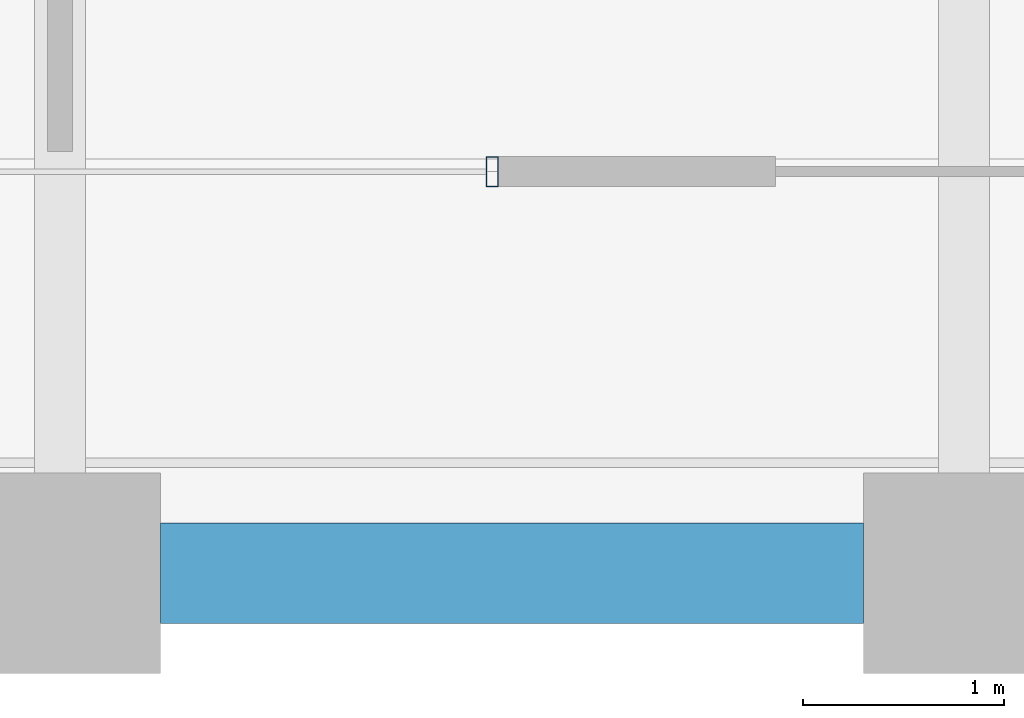
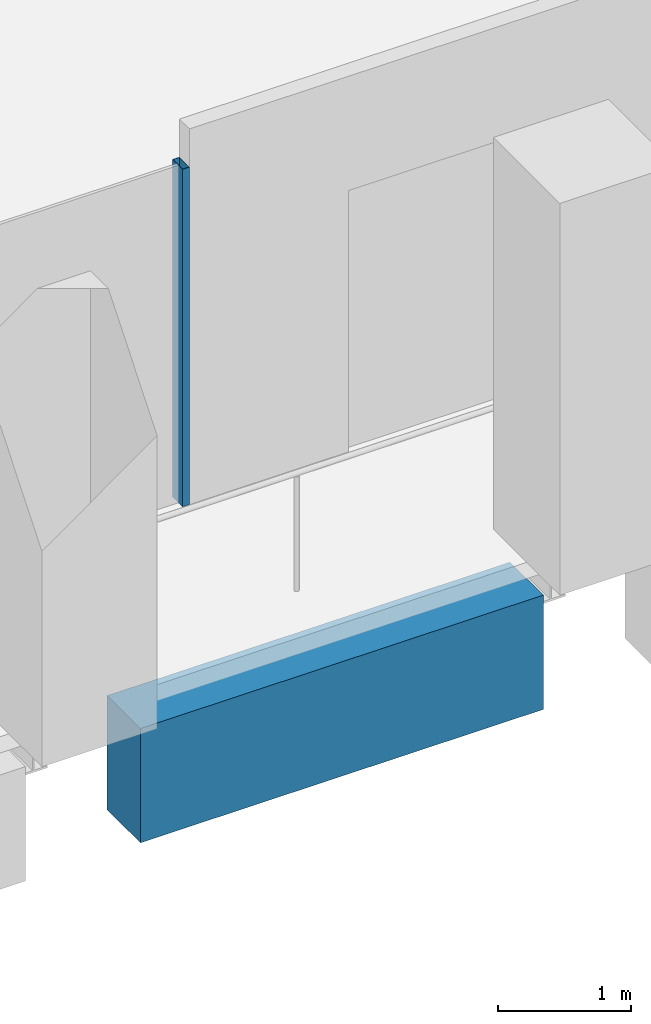
# One storey, part 7 of 46: 1 beam, 1 member, 1 element without a shape of its own.
"""IFC4 building model written with IfcOpenShell, lengths in metres."""

from ifc_helpers import new_model, si_unit, direction, frame, origin, origin_2d, place, context, subcontext, project, spatial, rectangle, hollow_rectangle, extrude, material, material_profile, profile_set, type_object, element, aggregate, save


model = new_model("IFC4")

# Units and contexts
model_context = context("Model", 3, precision=1e-05, world=origin(), true_north=direction((0.0, 1.0)))
body_context = subcontext(model_context, "Body", "Model", "MODEL_VIEW")
ifc_project = project(units=[si_unit("LENGTHUNIT", "METRE"), si_unit("AREAUNIT", "SQUARE_METRE"), si_unit("VOLUMEUNIT", "CUBIC_METRE"), si_unit("PLANEANGLEUNIT", "RADIAN"), si_unit("MASSUNIT", "GRAM", prefix="KILO")], contexts=[model_context])

# Site, building, storey
site_placement = place(None, origin())
site = spatial("IfcSite", under=ifc_project, at=site_placement, CompositionType="ELEMENT")
building_placement = place(site_placement, origin())
building = spatial("IfcBuilding", under=site, at=building_placement, Name="Altepetl Exchange Towers", CompositionType="ELEMENT")
storey_placement = place(building_placement, frame((0.0, 0.0, 128.0)))
storey = spatial("IfcBuildingStorey", under=building, at=storey_placement, Name="L31", CompositionType="ELEMENT", Elevation=128.0)

# Curtain wall, member
ifc_material_1 = material(Name="Aluminium 6063-T6 glazing", Category="aluminium")
curtain_wall_type = type_object("IfcCurtainWallType", Name="Loggia glazing system", PredefinedType="NOTDEFINED", material=ifc_material_1)
curtain_wall_placement = place(storey_placement, origin())
curtain_wall = element("IfcCurtainWall", 1, at=curtain_wall_placement, inside=storey, type_object=curtain_wall_type, Name="CW1 run", PredefinedType="NOTDEFINED")
ifc_material_2 = material(Name="Aluminium 6063-T6", Category="aluminium")
ifc_material_profile_1 = material_profile(ifc_material_2, hollow_rectangle(XDim=0.06005859375, YDim=0.14990234375, WallThickness=0.0029296875, at=origin_2d()), Name="Mullion 60x150 aluminium")
ifc_profile_set_1 = profile_set([ifc_material_profile_1], Name="Aluminium 6063-T6")
member_type = type_object("IfcMemberType", Name="Mullion 60x150 aluminium", PredefinedType="MULLION", material=ifc_profile_set_1)
member_placement = place(storey_placement, frame((47.152099609375, 29.0, 0.0)))
member = element("IfcMember", 2, at=member_placement, type_object=member_type, Name="MU1 mullion", PredefinedType="MULLION", context=body_context, shape_type="SweptSolid", body=[
    extrude(hollow_rectangle(XDim=0.06005859375, YDim=0.14990234375, WallThickness=0.0029296875, at=origin_2d()), origin(), (0.0, 0.0, 1.0), 3.10009765625),
])
aggregate(curtain_wall, [member])

# Beam
ifc_material_3 = material(Name="Concrete C50/60 precast with cantera blanca facing", Category="concrete")
ifc_material_profile_2 = material_profile(ifc_material_3, rectangle(XDim=0.5, YDim=1.050048828125, at=origin_2d()), Name="500 x 1050")
ifc_profile_set_2 = profile_set([ifc_material_profile_2], Name="Concrete C50/60 precast with cantera blanca facing")
beam_type = type_object("IfcBeamType", Name="Spandrel beam 500x1050 cantera blanca", PredefinedType="SPANDREL", material=ifc_profile_set_2)
beam_placement = place(storey_placement, frame((45.5, 27.0, -0.675048828125), z_axis=(1.0, 0.0, 0.0), x_axis=(0.0, 1.0, 0.0)))
element("IfcBeam", 3, at=beam_placement, inside=storey, type_object=beam_type, Name="sp:A:L31:003", PredefinedType="SPANDREL", context=body_context, shape_type="SweptSolid", body=[
    extrude(rectangle(XDim=0.5, YDim=1.050048828125, at=origin_2d()), origin(), (0.0, 0.0, 1.0), 3.5),
])

save(model, "model.ifc")
